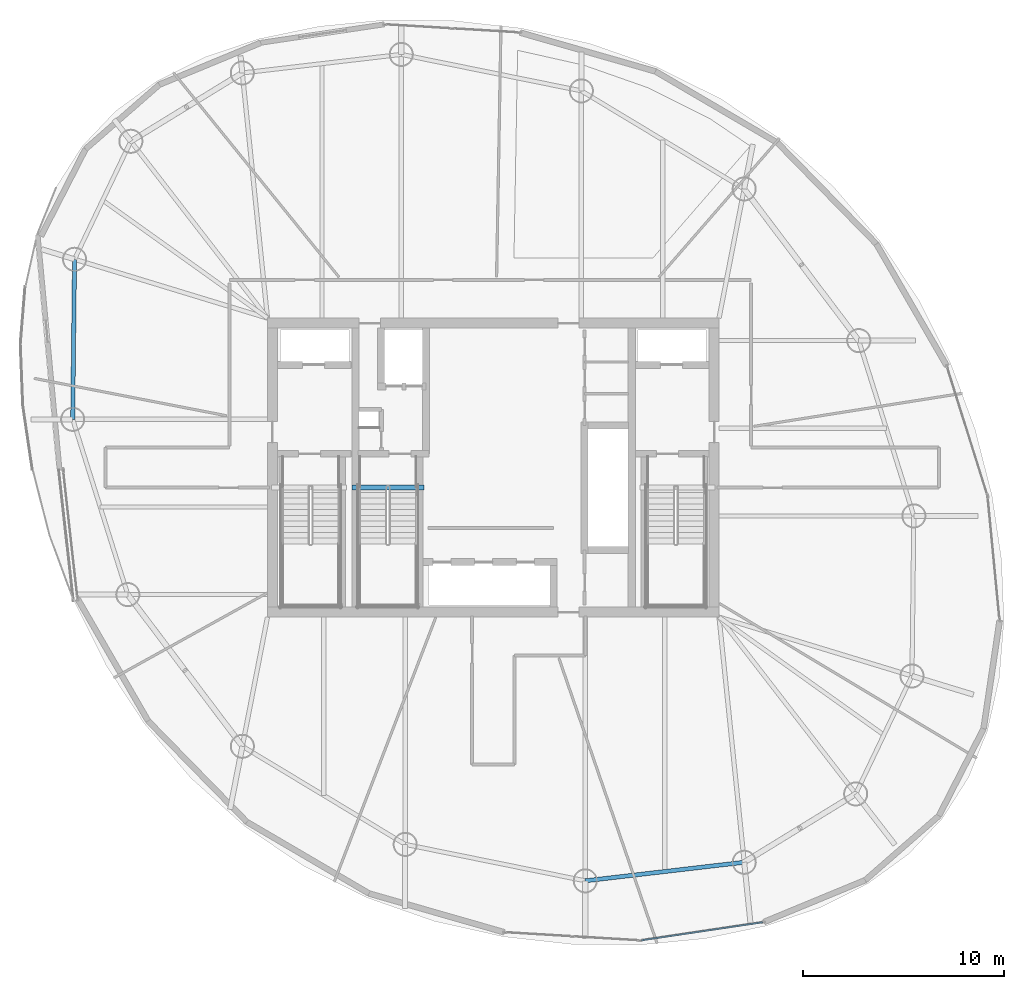
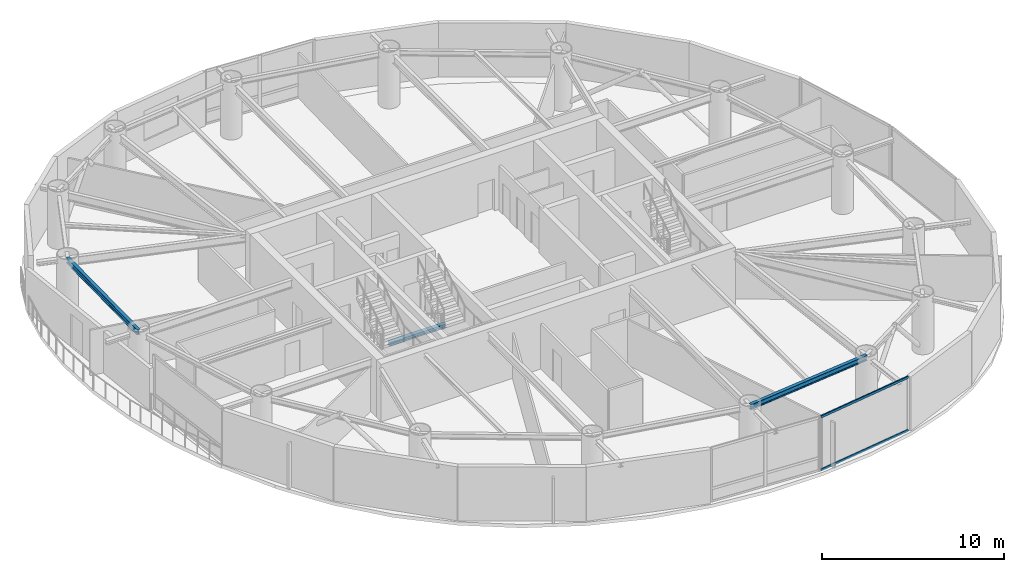
# One storey, part 5 of 18: 3 beams, 2 members, 1 element without a shape of its own.
"""IFC4 building model written with IfcOpenShell, lengths in metres."""

from ifc_helpers import new_model, si_unit, direction, frame, origin, origin_2d, place, context, subcontext, project, spatial, hollow_rectangle, i_section, extrude, material, layer, layer_set, material_profile, profile_set, type_object, element, aggregate, save


model = new_model("IFC4")

# Units and contexts
model_context = context("Model", 3, precision=1e-05, world=origin(), true_north=direction((0.0, 1.0)))
body_context = subcontext(model_context, "Body", "Model", "MODEL_VIEW")
ifc_project = project(units=[si_unit("LENGTHUNIT", "METRE"), si_unit("AREAUNIT", "SQUARE_METRE"), si_unit("VOLUMEUNIT", "CUBIC_METRE"), si_unit("PLANEANGLEUNIT", "RADIAN"), si_unit("MASSUNIT", "GRAM", prefix="KILO")], contexts=[model_context])

# Site, building, storey
site_placement = place(None, origin())
site = spatial("IfcSite", under=ifc_project, at=site_placement, CompositionType="ELEMENT")
building_placement = place(site_placement, origin())
building = spatial("IfcBuilding", under=site, at=building_placement, Name="Bramvorn Convention Spire", CompositionType="ELEMENT")
storey_placement = place(building_placement, frame((0.0, 0.0, 182.75)))
storey = spatial("IfcBuildingStorey", under=building, at=storey_placement, Name="L46", CompositionType="ELEMENT", Elevation=182.75)

# Beams
ifc_material_1 = material(Name="Steel CSA G40.21 Grade 350 (350W)", Category="steel")
ifc_material_profile_1 = material_profile(ifc_material_1, i_section(OverallWidth=0.25390625, OverallDepth=0.2529296875, WebThickness=0.008544921875, FlangeThickness=0.01416015625, FilletRadius=0.011962890625, at=origin_2d()))
ifc_profile_set_1 = profile_set([ifc_material_profile_1], Name="Steel CSA G40.21 Grade 350 (350W) - W250X73")
beam_type_1 = type_object("IfcBeamType", Name="BM-W250X73", PredefinedType="BEAM", material=ifc_profile_set_1)
beam_1_placement = place(storey_placement, frame((30.949951171875, 25.010009765625, -0.12646484375), z_axis=(1.0, 0.0, 0.0), x_axis=(0.0, 1.0, 0.0)))
element("IfcBeam", 1, at=beam_1_placement, inside=storey, type_object=beam_type_1, Name="L46 ST3 stair arrival header beam", PredefinedType="BEAM", context=body_context, shape_type="SweptSolid", body=[
    extrude(i_section(OverallWidth=0.25390625, OverallDepth=0.2529296875, WebThickness=0.008544921875, FlangeThickness=0.01416015625, FilletRadius=0.011962890625, at=origin_2d()), origin(), (0.0, 0.0, 1.0), 3.610107421875),
])
ifc_material_profile_2 = material_profile(ifc_material_1, i_section(OverallWidth=0.205078125, OverallDepth=0.35400390625, WebThickness=0.009521484375, FlangeThickness=0.016845703125, FilletRadius=0.014892578125, at=origin_2d()))
ifc_profile_set_2 = profile_set([ifc_material_profile_2], Name="Steel CSA G40.21 Grade 350 (350W) - W360X79")
beam_type_2 = type_object("IfcBeamType", Name="BM-W360X79", PredefinedType="JOIST", material=ifc_profile_set_2)
beam_2_placement = place(storey_placement, frame((17.136962890625, 36.380615234375, 3.443115234375), z_axis=(-0.011480475367, -0.999934097171, 0.0), x_axis=(0.999934097171, -0.011480475367, 0.0)))
element("IfcBeam", 2, at=beam_2_placement, inside=storey, type_object=beam_type_2, Name="L46 mega-column ring beam 10", PredefinedType="JOIST", context=body_context, shape_type="SweptSolid", body=[
    extrude(i_section(OverallWidth=0.205078125, OverallDepth=0.35400390625, WebThickness=0.009521484375, FlangeThickness=0.016845703125, FilletRadius=0.014892578125, at=origin_2d()), origin(), (0.0, 0.0, 1.0), 7.974609375),
])
beam_3_placement = place(storey_placement, frame((42.583740234375, 5.41162109375, 3.443115234375), z_axis=(0.993256148339, 0.115940604561, 0.0), x_axis=(-0.115940604561, 0.993256148339, 0.0)))
element("IfcBeam", 3, at=beam_3_placement, inside=storey, type_object=beam_type_2, Name="L46 mega-column ring beam 15", PredefinedType="JOIST", context=body_context, shape_type="SweptSolid", body=[
    extrude(i_section(OverallWidth=0.205078125, OverallDepth=0.35400390625, WebThickness=0.009521484375, FlangeThickness=0.016845703125, FilletRadius=0.014892578125, at=origin_2d()), origin(), (0.0, 0.0, 1.0), 7.974365234375),
])

# Curtain wall, members
ifc_material_2 = material(Name="Anodised Bronze Unitised Curtain Wall", Category="aluminium")
ifc_layer = layer(ifc_material_2, 0.179931640625)
ifc_layer_set = layer_set([ifc_layer], Name="Anodised Bronze Unitised Curtain Wall - CW-OFF-FRIT")
curtain_wall_type = type_object("IfcCurtainWallType", Name="CW-OFF-FRIT", PredefinedType="USERDEFINED", material=ifc_layer_set)
curtain_wall_placement = place(storey_placement, origin())
curtain_wall = element("IfcCurtainWall", 4, at=curtain_wall_placement, inside=storey, type_object=curtain_wall_type, Name="L46 fritted glass curtain wall 22", ObjectType="UNITISED CURTAIN WALL", PredefinedType="USERDEFINED")
ifc_material_3 = material(Name="Anodised Bronze Aluminium 6063-T6", Category="aluminium")
ifc_material_profile_3 = material_profile(ifc_material_3, hollow_rectangle(XDim=0.080078125, YDim=0.159912109375, WallThickness=0.00390625, InnerFilletRadius=0.0009765625, OuterFilletRadius=0.00390625, at=origin_2d()))
ifc_profile_set_3 = profile_set([ifc_material_profile_3], Name="Anodised Bronze Aluminium 6063-T6 - CWT80X160")
member_type = type_object("IfcMemberType", Name="CW-TRN-150", PredefinedType="USERDEFINED", material=ifc_profile_set_3)
member_1_placement = place(storey_placement, frame((51.423583984375, 3.34765625, 0.030029296875), z_axis=(-0.989069096767, -0.147452778271, 0.0), x_axis=(0.147452778271, -0.989069096767, 0.0)))
member_1 = element("IfcMember", 5, at=member_1_placement, type_object=member_type, Name="CW3 transom 1.1", ObjectType="TRANSOM", PredefinedType="USERDEFINED", context=body_context, shape_type="SweptSolid", body=[
    extrude(hollow_rectangle(XDim=0.080078125, YDim=0.159912109375, WallThickness=0.00390625, InnerFilletRadius=0.0009765625, OuterFilletRadius=0.00390625, at=origin_2d()), origin(), (0.0, 0.0, 1.0), 6.106201171875),
])
member_2_placement = place(storey_placement, frame((51.423583984375, 3.34765625, 3.590087890625), z_axis=(-0.989069096767, -0.147452778271, 0.0), x_axis=(0.147452778271, -0.989069096767, 0.0)))
member_2 = element("IfcMember", 6, at=member_2_placement, type_object=member_type, Name="CW3 transom 1.2", ObjectType="TRANSOM", PredefinedType="USERDEFINED", context=body_context, shape_type="SweptSolid", body=[
    extrude(hollow_rectangle(XDim=0.080078125, YDim=0.159912109375, WallThickness=0.00390625, InnerFilletRadius=0.0009765625, OuterFilletRadius=0.00390625, at=origin_2d()), origin(), (0.0, 0.0, 1.0), 6.106201171875),
])
aggregate(curtain_wall, [member_1, member_2])

save(model, "model.ifc")
